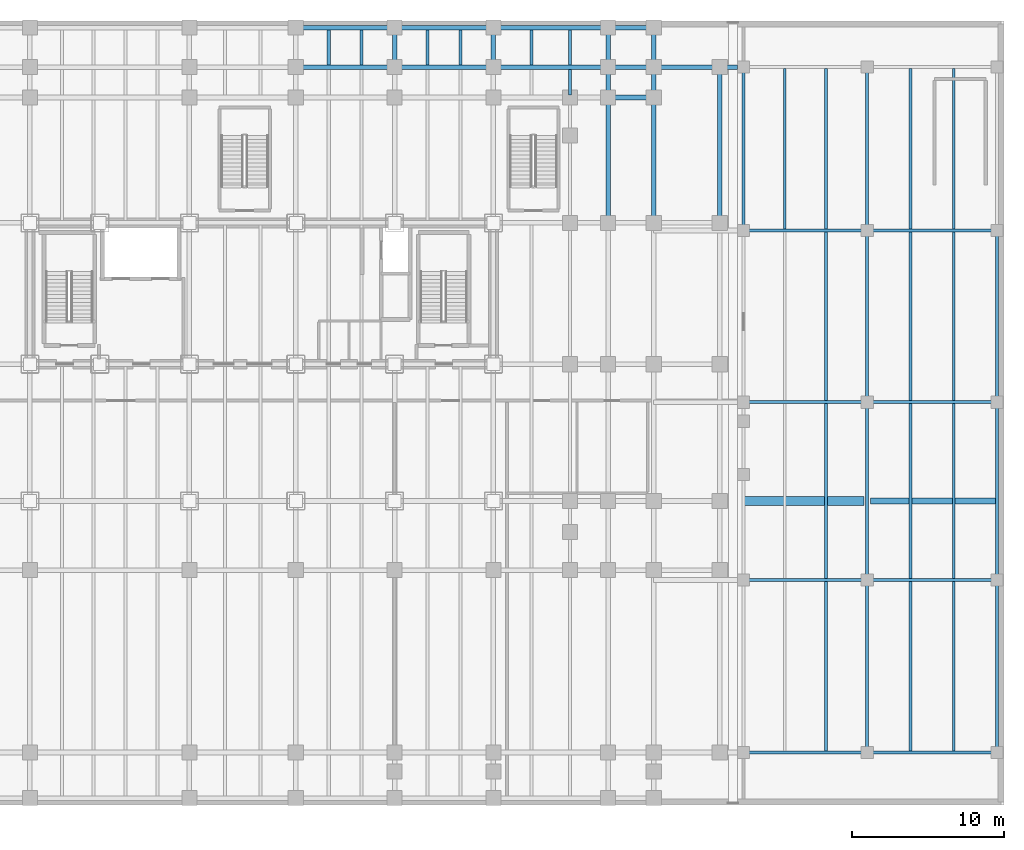
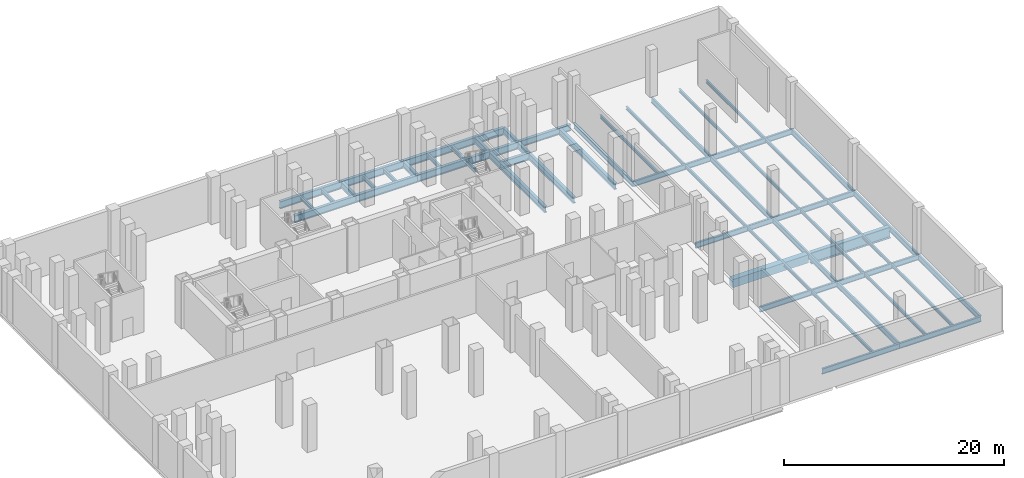
# One storey, part 6 of 15: 57 beams.
"""IFC4 building model written with IfcOpenShell, lengths in metres."""

from ifc_helpers import new_model, si_unit, direction, frame, origin, origin_2d, place, context, subcontext, project, spatial, rectangle, i_section, extrude, material, material_profile, profile_set, type_object, element, save


model = new_model("IFC4")

# Units and contexts
model_context = context("Model", 3, precision=1e-05, world=origin(), true_north=direction((0.0, 1.0)))
body_context = subcontext(model_context, "Body", "Model", "MODEL_VIEW")
ifc_project = project(units=[si_unit("LENGTHUNIT", "METRE"), si_unit("AREAUNIT", "SQUARE_METRE"), si_unit("VOLUMEUNIT", "CUBIC_METRE"), si_unit("PLANEANGLEUNIT", "RADIAN"), si_unit("MASSUNIT", "GRAM", prefix="KILO")], contexts=[model_context])

# Site, building, storey
site_placement = place(None, origin())
site = spatial("IfcSite", under=ifc_project, at=site_placement, CompositionType="ELEMENT")
building_placement = place(site_placement, origin())
building = spatial("IfcBuilding", under=site, at=building_placement, Name="Noeulbin Bourse Tower", CompositionType="ELEMENT")
storey_placement = place(building_placement, frame((0.0, 0.0, -10.199951171875)))
storey = spatial("IfcBuildingStorey", under=building, at=storey_placement, Name="B02", CompositionType="ELEMENT", Elevation=-10.199951171875)

# Beams
ifc_material_1 = material(Name="Concrete C50/60", Category="concrete")
ifc_material_profile_1 = material_profile(ifc_material_1, rectangle(XDim=0.60009765625, YDim=0.89990234375, at=origin_2d()), Name="RC-BM-600x900", Category="LoadBearing")
ifc_profile_set_1 = profile_set([ifc_material_profile_1], Name="Concrete C50/60")
beam_type_1 = type_object("IfcBeamType", Name="BM-CPL-RC", PredefinedType="LINTEL", material=ifc_profile_set_1)
beam_1_placement = place(storey_placement, frame((60.449951171875, 20.0, -0.72998046875), z_axis=(1.0, 0.0, 0.0), x_axis=(0.0, 1.0, 0.0)))
element("IfcBeam", 1, at=beam_1_placement, inside=storey, type_object=beam_type_1, Name="BM-B02-CPL-MKT", PredefinedType="LINTEL", context=body_context, shape_type="SweptSolid", body=[
    extrude(rectangle(XDim=0.60009765625, YDim=0.89990234375, at=origin_2d()), origin(), (0.0, 0.0, 1.0), 7.949951171875),
])
ifc_material_2 = material(Name="Steel S355", Category="steel")
ifc_material_profile_2 = material_profile(ifc_material_2, i_section(OverallWidth=0.199951171875, OverallDepth=0.60009765625, WebThickness=0.010986328125, FlangeThickness=0.01708984375, FilletRadius=0.02197265625, at=origin_2d()), Name="H-600x200x11x17", Category="LoadBearing")
ifc_profile_set_2 = profile_set([ifc_material_profile_2], Name="Steel S355")
beam_type_2 = type_object("IfcBeamType", Name="BM-GRD-600", PredefinedType="USERDEFINED", material=ifc_profile_set_2)
beam_2_placement = place(storey_placement, frame((60.449951171875, 3.449951171875, -0.580078125), z_axis=(1.0, 0.0, 0.0), x_axis=(0.0, 1.0, 0.0)))
element("IfcBeam", 2, at=beam_2_placement, inside=storey, type_object=beam_type_2, Name="Market Hall Girder EW B02-01", ObjectType="GIRDER", PredefinedType="USERDEFINED", context=body_context, shape_type="SweptSolid", body=[
    extrude(i_section(OverallWidth=0.199951171875, OverallDepth=0.60009765625, WebThickness=0.010986328125, FlangeThickness=0.01708984375, FilletRadius=0.02197265625, at=origin_2d()), origin(), (0.0, 0.0, 1.0), 8.150146484375),
])
beam_3_placement = place(storey_placement, frame((68.60009765625, 3.449951171875, -0.580078125), z_axis=(1.0, 0.0, 0.0), x_axis=(0.0, 1.0, 0.0)))
element("IfcBeam", 3, at=beam_3_placement, inside=storey, type_object=beam_type_2, Name="Market Hall Girder EW B02-02", ObjectType="GIRDER", PredefinedType="USERDEFINED", context=body_context, shape_type="SweptSolid", body=[
    extrude(i_section(OverallWidth=0.199951171875, OverallDepth=0.60009765625, WebThickness=0.010986328125, FlangeThickness=0.01708984375, FilletRadius=0.02197265625, at=origin_2d()), origin(), (0.0, 0.0, 1.0), 8.5498046875),
])
beam_4_placement = place(storey_placement, frame((60.449951171875, 14.800048828125, -0.580078125), z_axis=(1.0, 0.0, 0.0), x_axis=(0.0, 1.0, 0.0)))
element("IfcBeam", 4, at=beam_4_placement, inside=storey, type_object=beam_type_2, Name="Market Hall Girder EW B02-03", ObjectType="GIRDER", PredefinedType="USERDEFINED", context=body_context, shape_type="SweptSolid", body=[
    extrude(i_section(OverallWidth=0.199951171875, OverallDepth=0.60009765625, WebThickness=0.010986328125, FlangeThickness=0.01708984375, FilletRadius=0.02197265625, at=origin_2d()), origin(), (0.0, 0.0, 1.0), 8.150146484375),
])
beam_5_placement = place(storey_placement, frame((68.60009765625, 14.800048828125, -0.580078125), z_axis=(1.0, 0.0, 0.0), x_axis=(0.0, 1.0, 0.0)))
element("IfcBeam", 5, at=beam_5_placement, inside=storey, type_object=beam_type_2, Name="Market Hall Girder EW B02-04", ObjectType="GIRDER", PredefinedType="USERDEFINED", context=body_context, shape_type="SweptSolid", body=[
    extrude(i_section(OverallWidth=0.199951171875, OverallDepth=0.60009765625, WebThickness=0.010986328125, FlangeThickness=0.01708984375, FilletRadius=0.02197265625, at=origin_2d()), origin(), (0.0, 0.0, 1.0), 8.5498046875),
])
beam_6_placement = place(storey_placement, frame((60.449951171875, 26.5, -0.580078125), z_axis=(1.0, 0.0, 0.0), x_axis=(0.0, 1.0, 0.0)))
element("IfcBeam", 6, at=beam_6_placement, inside=storey, type_object=beam_type_2, Name="Market Hall Girder EW B02-05", ObjectType="GIRDER", PredefinedType="USERDEFINED", context=body_context, shape_type="SweptSolid", body=[
    extrude(i_section(OverallWidth=0.199951171875, OverallDepth=0.60009765625, WebThickness=0.010986328125, FlangeThickness=0.01708984375, FilletRadius=0.02197265625, at=origin_2d()), origin(), (0.0, 0.0, 1.0), 8.150146484375),
])
beam_7_placement = place(storey_placement, frame((68.60009765625, 26.5, -0.580078125), z_axis=(1.0, 0.0, 0.0), x_axis=(0.0, 1.0, 0.0)))
element("IfcBeam", 7, at=beam_7_placement, inside=storey, type_object=beam_type_2, Name="Market Hall Girder EW B02-06", ObjectType="GIRDER", PredefinedType="USERDEFINED", context=body_context, shape_type="SweptSolid", body=[
    extrude(i_section(OverallWidth=0.199951171875, OverallDepth=0.60009765625, WebThickness=0.010986328125, FlangeThickness=0.01708984375, FilletRadius=0.02197265625, at=origin_2d()), origin(), (0.0, 0.0, 1.0), 8.5498046875),
])
beam_8_placement = place(storey_placement, frame((60.449951171875, 37.800048828125, -0.580078125), z_axis=(1.0, 0.0, 0.0), x_axis=(0.0, 1.0, 0.0)))
element("IfcBeam", 8, at=beam_8_placement, inside=storey, type_object=beam_type_2, Name="Market Hall Girder EW B02-07", ObjectType="GIRDER", PredefinedType="USERDEFINED", context=body_context, shape_type="SweptSolid", body=[
    extrude(i_section(OverallWidth=0.199951171875, OverallDepth=0.60009765625, WebThickness=0.010986328125, FlangeThickness=0.01708984375, FilletRadius=0.02197265625, at=origin_2d()), origin(), (0.0, 0.0, 1.0), 8.150146484375),
])
beam_9_placement = place(storey_placement, frame((68.60009765625, 37.800048828125, -0.580078125), z_axis=(1.0, 0.0, 0.0), x_axis=(0.0, 1.0, 0.0)))
element("IfcBeam", 9, at=beam_9_placement, inside=storey, type_object=beam_type_2, Name="Market Hall Girder EW B02-08", ObjectType="GIRDER", PredefinedType="USERDEFINED", context=body_context, shape_type="SweptSolid", body=[
    extrude(i_section(OverallWidth=0.199951171875, OverallDepth=0.60009765625, WebThickness=0.010986328125, FlangeThickness=0.01708984375, FilletRadius=0.02197265625, at=origin_2d()), origin(), (0.0, 0.0, 1.0), 8.5498046875),
])
beam_10_placement = place(storey_placement, frame((60.449951171875, 37.800048828125, -0.580078125), z_axis=(0.0, 1.0, 0.0), x_axis=(-1.0, 0.0, 0.0)))
element("IfcBeam", 10, at=beam_10_placement, inside=storey, type_object=beam_type_2, Name="Market Hall Girder NS B02-14", ObjectType="GIRDER", PredefinedType="USERDEFINED", context=body_context, shape_type="SweptSolid", body=[
    extrude(i_section(OverallWidth=0.199951171875, OverallDepth=0.60009765625, WebThickness=0.010986328125, FlangeThickness=0.01708984375, FilletRadius=0.02197265625, at=origin_2d()), origin(), (0.0, 0.0, 1.0), 10.75),
])
beam_11_placement = place(storey_placement, frame((68.60009765625, 3.449951171875, -0.580078125), z_axis=(0.0, 1.0, 0.0), x_axis=(-1.0, 0.0, 0.0)))
element("IfcBeam", 11, at=beam_11_placement, inside=storey, type_object=beam_type_2, Name="Market Hall Girder NS B02-15", ObjectType="GIRDER", PredefinedType="USERDEFINED", context=body_context, shape_type="SweptSolid", body=[
    extrude(i_section(OverallWidth=0.199951171875, OverallDepth=0.60009765625, WebThickness=0.010986328125, FlangeThickness=0.01708984375, FilletRadius=0.02197265625, at=origin_2d()), origin(), (0.0, 0.0, 1.0), 11.35009765625),
])
beam_12_placement = place(storey_placement, frame((68.60009765625, 14.800048828125, -0.580078125), z_axis=(0.0, 1.0, 0.0), x_axis=(-1.0, 0.0, 0.0)))
element("IfcBeam", 12, at=beam_12_placement, inside=storey, type_object=beam_type_2, Name="Market Hall Girder NS B02-16", ObjectType="GIRDER", PredefinedType="USERDEFINED", context=body_context, shape_type="SweptSolid", body=[
    extrude(i_section(OverallWidth=0.199951171875, OverallDepth=0.60009765625, WebThickness=0.010986328125, FlangeThickness=0.01708984375, FilletRadius=0.02197265625, at=origin_2d()), origin(), (0.0, 0.0, 1.0), 11.699951171875),
])
beam_13_placement = place(storey_placement, frame((68.60009765625, 26.5, -0.580078125), z_axis=(0.0, 1.0, 0.0), x_axis=(-1.0, 0.0, 0.0)))
element("IfcBeam", 13, at=beam_13_placement, inside=storey, type_object=beam_type_2, Name="Market Hall Girder NS B02-17", ObjectType="GIRDER", PredefinedType="USERDEFINED", context=body_context, shape_type="SweptSolid", body=[
    extrude(i_section(OverallWidth=0.199951171875, OverallDepth=0.60009765625, WebThickness=0.010986328125, FlangeThickness=0.01708984375, FilletRadius=0.02197265625, at=origin_2d()), origin(), (0.0, 0.0, 1.0), 11.300048828125),
])
beam_14_placement = place(storey_placement, frame((68.60009765625, 37.800048828125, -0.580078125), z_axis=(0.0, 1.0, 0.0), x_axis=(-1.0, 0.0, 0.0)))
element("IfcBeam", 14, at=beam_14_placement, inside=storey, type_object=beam_type_2, Name="Market Hall Girder NS B02-18", ObjectType="GIRDER", PredefinedType="USERDEFINED", context=body_context, shape_type="SweptSolid", body=[
    extrude(i_section(OverallWidth=0.199951171875, OverallDepth=0.60009765625, WebThickness=0.010986328125, FlangeThickness=0.01708984375, FilletRadius=0.02197265625, at=origin_2d()), origin(), (0.0, 0.0, 1.0), 10.75),
])
beam_15_placement = place(storey_placement, frame((77.14990234375, 3.449951171875, -0.580078125), z_axis=(0.0, 1.0, 0.0), x_axis=(-1.0, 0.0, 0.0)))
element("IfcBeam", 15, at=beam_15_placement, inside=storey, type_object=beam_type_2, Name="Market Hall Girder NS B02-19", ObjectType="GIRDER", PredefinedType="USERDEFINED", context=body_context, shape_type="SweptSolid", body=[
    extrude(i_section(OverallWidth=0.199951171875, OverallDepth=0.60009765625, WebThickness=0.010986328125, FlangeThickness=0.01708984375, FilletRadius=0.02197265625, at=origin_2d()), origin(), (0.0, 0.0, 1.0), 11.35009765625),
])
beam_16_placement = place(storey_placement, frame((77.14990234375, 14.800048828125, -0.580078125), z_axis=(0.0, 1.0, 0.0), x_axis=(-1.0, 0.0, 0.0)))
element("IfcBeam", 16, at=beam_16_placement, inside=storey, type_object=beam_type_2, Name="Market Hall Girder NS B02-20", ObjectType="GIRDER", PredefinedType="USERDEFINED", context=body_context, shape_type="SweptSolid", body=[
    extrude(i_section(OverallWidth=0.199951171875, OverallDepth=0.60009765625, WebThickness=0.010986328125, FlangeThickness=0.01708984375, FilletRadius=0.02197265625, at=origin_2d()), origin(), (0.0, 0.0, 1.0), 11.699951171875),
])
beam_17_placement = place(storey_placement, frame((77.14990234375, 26.5, -0.580078125), z_axis=(0.0, 1.0, 0.0), x_axis=(-1.0, 0.0, 0.0)))
element("IfcBeam", 17, at=beam_17_placement, inside=storey, type_object=beam_type_2, Name="Market Hall Girder NS B02-21", ObjectType="GIRDER", PredefinedType="USERDEFINED", context=body_context, shape_type="SweptSolid", body=[
    extrude(i_section(OverallWidth=0.199951171875, OverallDepth=0.60009765625, WebThickness=0.010986328125, FlangeThickness=0.01708984375, FilletRadius=0.02197265625, at=origin_2d()), origin(), (0.0, 0.0, 1.0), 11.300048828125),
])
ifc_material_profile_3 = material_profile(ifc_material_2, i_section(OverallWidth=0.300048828125, OverallDepth=0.699951171875, WebThickness=0.012939453125, FlangeThickness=0.02392578125, FilletRadius=0.02392578125, at=origin_2d()), Name="H-700x300x13x24", Category="LoadBearing")
ifc_profile_set_3 = profile_set([ifc_material_profile_3], Name="Steel S355")
beam_type_3 = type_object("IfcBeamType", Name="BM-GRD-700", PredefinedType="USERDEFINED", material=ifc_profile_set_3)
for number, where, z_axis, x_axis, name in (
    (18, (37.5, 48.550048828125, -0.630126953125), (0.0, 1.0, 0.0), (-1.0, 0.0, 0.0), "Podium Primary Girder NS B02-119"),
    (19, (44.0, 48.550048828125, -0.630126953125), (0.0, 1.0, 0.0), (-1.0, 0.0, 0.0), "Podium Primary Girder NS B02-127"),
):
    element("IfcBeam", number, at=place(storey_placement, frame(where, z_axis=z_axis, x_axis=x_axis)), inside=storey, type_object=beam_type_3, Name=name, ObjectType="GIRDER", PredefinedType="USERDEFINED", context=body_context, shape_type="SweptSolid", body=[
        extrude(i_section(OverallWidth=0.300048828125, OverallDepth=0.699951171875, WebThickness=0.012939453125, FlangeThickness=0.02392578125, FilletRadius=0.02392578125, at=origin_2d()), origin(), (0.0, 0.0, 1.0), 2.599853515625),
    ])
beam_18_placement = place(storey_placement, frame((51.550048828125, 38.300048828125, -0.630126953125), z_axis=(0.0, 1.0, 0.0), x_axis=(-1.0, 0.0, 0.0)))
element("IfcBeam", 20, at=beam_18_placement, inside=storey, type_object=beam_type_3, Name="Podium Primary Girder NS B02-133", ObjectType="GIRDER", PredefinedType="USERDEFINED", context=body_context, shape_type="SweptSolid", body=[
    extrude(i_section(OverallWidth=0.300048828125, OverallDepth=0.699951171875, WebThickness=0.012939453125, FlangeThickness=0.02392578125, FilletRadius=0.02392578125, at=origin_2d()), origin(), (0.0, 0.0, 1.0), 8.25),
])
beam_19_placement = place(storey_placement, frame((51.550048828125, 46.550048828125, -0.630126953125), z_axis=(0.0, 1.0, 0.0), x_axis=(-1.0, 0.0, 0.0)))
element("IfcBeam", 21, at=beam_19_placement, inside=storey, type_object=beam_type_3, Name="Podium Primary Girder NS B02-134", ObjectType="GIRDER", PredefinedType="USERDEFINED", context=body_context, shape_type="SweptSolid", body=[
    extrude(i_section(OverallWidth=0.300048828125, OverallDepth=0.699951171875, WebThickness=0.012939453125, FlangeThickness=0.02392578125, FilletRadius=0.02392578125, at=origin_2d()), origin(), (0.0, 0.0, 1.0), 2.0),
])
beam_20_placement = place(storey_placement, frame((51.550048828125, 48.550048828125, -0.630126953125), z_axis=(0.0, 1.0, 0.0), x_axis=(-1.0, 0.0, 0.0)))
element("IfcBeam", 22, at=beam_20_placement, inside=storey, type_object=beam_type_3, Name="Podium Primary Girder NS B02-135", ObjectType="GIRDER", PredefinedType="USERDEFINED", context=body_context, shape_type="SweptSolid", body=[
    extrude(i_section(OverallWidth=0.300048828125, OverallDepth=0.699951171875, WebThickness=0.012939453125, FlangeThickness=0.02392578125, FilletRadius=0.02392578125, at=origin_2d()), origin(), (0.0, 0.0, 1.0), 2.599853515625),
])
beam_21_placement = place(storey_placement, frame((54.550048828125, 38.300048828125, -0.630126953125), z_axis=(0.0, 1.0, 0.0), x_axis=(-1.0, 0.0, 0.0)))
element("IfcBeam", 23, at=beam_21_placement, inside=storey, type_object=beam_type_3, Name="Podium Primary Girder NS B02-141", ObjectType="GIRDER", PredefinedType="USERDEFINED", context=body_context, shape_type="SweptSolid", body=[
    extrude(i_section(OverallWidth=0.300048828125, OverallDepth=0.699951171875, WebThickness=0.012939453125, FlangeThickness=0.02392578125, FilletRadius=0.02392578125, at=origin_2d()), origin(), (0.0, 0.0, 1.0), 8.25),
])
beam_22_placement = place(storey_placement, frame((54.550048828125, 46.550048828125, -0.630126953125), z_axis=(0.0, 1.0, 0.0), x_axis=(-1.0, 0.0, 0.0)))
element("IfcBeam", 24, at=beam_22_placement, inside=storey, type_object=beam_type_3, Name="Podium Primary Girder NS B02-142", ObjectType="GIRDER", PredefinedType="USERDEFINED", context=body_context, shape_type="SweptSolid", body=[
    extrude(i_section(OverallWidth=0.300048828125, OverallDepth=0.699951171875, WebThickness=0.012939453125, FlangeThickness=0.02392578125, FilletRadius=0.02392578125, at=origin_2d()), origin(), (0.0, 0.0, 1.0), 2.0),
])
beam_23_placement = place(storey_placement, frame((54.550048828125, 48.550048828125, -0.630126953125), z_axis=(0.0, 1.0, 0.0), x_axis=(-1.0, 0.0, 0.0)))
element("IfcBeam", 25, at=beam_23_placement, inside=storey, type_object=beam_type_3, Name="Podium Primary Girder NS B02-143", ObjectType="GIRDER", PredefinedType="USERDEFINED", context=body_context, shape_type="SweptSolid", body=[
    extrude(i_section(OverallWidth=0.300048828125, OverallDepth=0.699951171875, WebThickness=0.012939453125, FlangeThickness=0.02392578125, FilletRadius=0.02392578125, at=origin_2d()), origin(), (0.0, 0.0, 1.0), 2.599853515625),
])
beam_24_placement = place(storey_placement, frame((54.550048828125, 48.550048828125, -0.630126953125), z_axis=(1.0, 0.0, 0.0), x_axis=(0.0, 1.0, 0.0)))
element("IfcBeam", 26, at=beam_24_placement, inside=storey, type_object=beam_type_3, Name="Concourse Slot Girder B02-05", ObjectType="GIRDER", PredefinedType="USERDEFINED", context=body_context, shape_type="SweptSolid", body=[
    extrude(i_section(OverallWidth=0.300048828125, OverallDepth=0.699951171875, WebThickness=0.012939453125, FlangeThickness=0.02392578125, FilletRadius=0.02392578125, at=origin_2d()), origin(), (0.0, 0.0, 1.0), 5.5),
])
beam_25_placement = place(storey_placement, frame((58.89990234375, 38.300048828125, -0.630126953125), z_axis=(0.0, 1.0, 0.0), x_axis=(-1.0, 0.0, 0.0)))
element("IfcBeam", 27, at=beam_25_placement, inside=storey, type_object=beam_type_3, Name="BM-B02-JNT-NS-5", ObjectType="GIRDER", PredefinedType="USERDEFINED", context=body_context, shape_type="SweptSolid", body=[
    extrude(i_section(OverallWidth=0.300048828125, OverallDepth=0.699951171875, WebThickness=0.012939453125, FlangeThickness=0.02392578125, FilletRadius=0.02392578125, at=origin_2d()), origin(), (0.0, 0.0, 1.0), 10.25),
])
ifc_material_profile_4 = material_profile(ifc_material_2, i_section(OverallWidth=0.300048828125, OverallDepth=0.800048828125, WebThickness=0.013916015625, FlangeThickness=0.02587890625, FilletRadius=0.02587890625, at=origin_2d()), Name="H-800x300x14x26", Category="LoadBearing")
ifc_profile_set_4 = profile_set([ifc_material_profile_4], Name="Steel S355")
beam_type_4 = type_object("IfcBeamType", Name="BM-GRD-800", PredefinedType="USERDEFINED", material=ifc_profile_set_4)
beam_26_placement = place(storey_placement, frame((51.550048828125, 46.550048828125, -0.679931640625), z_axis=(1.0, 0.0, 0.0), x_axis=(0.0, 1.0, 0.0)))
element("IfcBeam", 28, at=beam_26_placement, inside=storey, type_object=beam_type_4, Name="Podium Primary Girder EW B02-056", ObjectType="GIRDER", PredefinedType="USERDEFINED", context=body_context, shape_type="SweptSolid", body=[
    extrude(i_section(OverallWidth=0.300048828125, OverallDepth=0.800048828125, WebThickness=0.013916015625, FlangeThickness=0.02587890625, FilletRadius=0.02587890625, at=origin_2d()), origin(), (0.0, 0.0, 1.0), 3.0),
])
for number, where, z_axis, x_axis, name in (
    (29, (31.0, 48.550048828125, -0.679931640625), (1.0, 0.0, 0.0), (0.0, 1.0, 0.0), "Podium Primary Girder EW B02-061"),
    (30, (37.5, 48.550048828125, -0.679931640625), (1.0, 0.0, 0.0), (0.0, 1.0, 0.0), "Podium Primary Girder EW B02-062"),
):
    element("IfcBeam", number, at=place(storey_placement, frame(where, z_axis=z_axis, x_axis=x_axis)), inside=storey, type_object=beam_type_4, Name=name, ObjectType="GIRDER", PredefinedType="USERDEFINED", context=body_context, shape_type="SweptSolid", body=[
        extrude(i_section(OverallWidth=0.300048828125, OverallDepth=0.800048828125, WebThickness=0.013916015625, FlangeThickness=0.02587890625, FilletRadius=0.02587890625, at=origin_2d()), origin(), (0.0, 0.0, 1.0), 6.5),
    ])
beam_27_placement = place(storey_placement, frame((44.0, 48.550048828125, -0.679931640625), z_axis=(1.0, 0.0, 0.0), x_axis=(0.0, 1.0, 0.0)))
element("IfcBeam", 31, at=beam_27_placement, inside=storey, type_object=beam_type_4, Name="Podium Primary Girder EW B02-063", ObjectType="GIRDER", PredefinedType="USERDEFINED", context=body_context, shape_type="SweptSolid", body=[
    extrude(i_section(OverallWidth=0.300048828125, OverallDepth=0.800048828125, WebThickness=0.013916015625, FlangeThickness=0.02587890625, FilletRadius=0.02587890625, at=origin_2d()), origin(), (0.0, 0.0, 1.0), 7.550048828125),
])
beam_28_placement = place(storey_placement, frame((51.550048828125, 48.550048828125, -0.679931640625), z_axis=(1.0, 0.0, 0.0), x_axis=(0.0, 1.0, 0.0)))
element("IfcBeam", 32, at=beam_28_placement, inside=storey, type_object=beam_type_4, Name="Podium Primary Girder EW B02-064", ObjectType="GIRDER", PredefinedType="USERDEFINED", context=body_context, shape_type="SweptSolid", body=[
    extrude(i_section(OverallWidth=0.300048828125, OverallDepth=0.800048828125, WebThickness=0.013916015625, FlangeThickness=0.02587890625, FilletRadius=0.02587890625, at=origin_2d()), origin(), (0.0, 0.0, 1.0), 3.0),
])
for number, where, z_axis, x_axis, name in (
    (33, (31.0, 51.14990234375, -0.679931640625), (1.0, 0.0, 0.0), (0.0, 1.0, 0.0), "Podium Primary Girder EW B02-069"),
    (34, (37.5, 51.14990234375, -0.679931640625), (1.0, 0.0, 0.0), (0.0, 1.0, 0.0), "Podium Primary Girder EW B02-070"),
):
    element("IfcBeam", number, at=place(storey_placement, frame(where, z_axis=z_axis, x_axis=x_axis)), inside=storey, type_object=beam_type_4, Name=name, ObjectType="GIRDER", PredefinedType="USERDEFINED", context=body_context, shape_type="SweptSolid", body=[
        extrude(i_section(OverallWidth=0.300048828125, OverallDepth=0.800048828125, WebThickness=0.013916015625, FlangeThickness=0.02587890625, FilletRadius=0.02587890625, at=origin_2d()), origin(), (0.0, 0.0, 1.0), 6.5),
    ])
beam_29_placement = place(storey_placement, frame((44.0, 51.14990234375, -0.679931640625), z_axis=(1.0, 0.0, 0.0), x_axis=(0.0, 1.0, 0.0)))
element("IfcBeam", 35, at=beam_29_placement, inside=storey, type_object=beam_type_4, Name="Podium Primary Girder EW B02-071", ObjectType="GIRDER", PredefinedType="USERDEFINED", context=body_context, shape_type="SweptSolid", body=[
    extrude(i_section(OverallWidth=0.300048828125, OverallDepth=0.800048828125, WebThickness=0.013916015625, FlangeThickness=0.02587890625, FilletRadius=0.02587890625, at=origin_2d()), origin(), (0.0, 0.0, 1.0), 7.550048828125),
])
beam_30_placement = place(storey_placement, frame((51.550048828125, 51.14990234375, -0.679931640625), z_axis=(1.0, 0.0, 0.0), x_axis=(0.0, 1.0, 0.0)))
element("IfcBeam", 36, at=beam_30_placement, inside=storey, type_object=beam_type_4, Name="Podium Primary Girder EW B02-072", ObjectType="GIRDER", PredefinedType="USERDEFINED", context=body_context, shape_type="SweptSolid", body=[
    extrude(i_section(OverallWidth=0.300048828125, OverallDepth=0.800048828125, WebThickness=0.013916015625, FlangeThickness=0.02587890625, FilletRadius=0.02587890625, at=origin_2d()), origin(), (0.0, 0.0, 1.0), 3.0),
])
ifc_material_profile_5 = material_profile(ifc_material_2, i_section(OverallWidth=0.175048828125, OverallDepth=0.35009765625, WebThickness=0.007080078125, FlangeThickness=0.010986328125, FilletRadius=0.013916015625, at=origin_2d()), Name="H-350x175x7x11", Category="LoadBearing")
ifc_profile_set_5 = profile_set([ifc_material_profile_5], Name="Steel S355")
beam_type_5 = type_object("IfcBeamType", Name="BM-JST-350", PredefinedType="JOIST", material=ifc_profile_set_5)
beam_31_placement = place(storey_placement, frame((63.166748046875, 37.89990234375, -0.455078125), z_axis=(0.0, 1.0, 0.0), x_axis=(-1.0, 0.0, 0.0)))
element("IfcBeam", 37, at=beam_31_placement, inside=storey, type_object=beam_type_5, Name="Market Hall Secondary Joist B02-04", PredefinedType="JOIST", context=body_context, shape_type="SweptSolid", body=[
    extrude(i_section(OverallWidth=0.175048828125, OverallDepth=0.35009765625, WebThickness=0.007080078125, FlangeThickness=0.010986328125, FilletRadius=0.013916015625, at=origin_2d()), origin(), (0.0, 0.0, 1.0), 10.550048828125),
])
beam_32_placement = place(storey_placement, frame((65.88330078125, 3.550048828125, -0.455078125), z_axis=(0.0, 1.0, 0.0), x_axis=(-1.0, 0.0, 0.0)))
element("IfcBeam", 38, at=beam_32_placement, inside=storey, type_object=beam_type_5, Name="Market Hall Secondary Joist B02-05", PredefinedType="JOIST", context=body_context, shape_type="SweptSolid", body=[
    extrude(i_section(OverallWidth=0.175048828125, OverallDepth=0.35009765625, WebThickness=0.007080078125, FlangeThickness=0.010986328125, FilletRadius=0.013916015625, at=origin_2d()), origin(), (0.0, 0.0, 1.0), 11.14990234375),
])
beam_33_placement = place(storey_placement, frame((65.88330078125, 14.89990234375, -0.455078125), z_axis=(0.0, 1.0, 0.0), x_axis=(-1.0, 0.0, 0.0)))
element("IfcBeam", 39, at=beam_33_placement, inside=storey, type_object=beam_type_5, Name="Market Hall Secondary Joist B02-06", PredefinedType="JOIST", context=body_context, shape_type="SweptSolid", body=[
    extrude(i_section(OverallWidth=0.175048828125, OverallDepth=0.35009765625, WebThickness=0.007080078125, FlangeThickness=0.010986328125, FilletRadius=0.013916015625, at=origin_2d()), origin(), (0.0, 0.0, 1.0), 11.5),
])
beam_34_placement = place(storey_placement, frame((65.88330078125, 26.60009765625, -0.455078125), z_axis=(0.0, 1.0, 0.0), x_axis=(-1.0, 0.0, 0.0)))
element("IfcBeam", 40, at=beam_34_placement, inside=storey, type_object=beam_type_5, Name="Market Hall Secondary Joist B02-07", PredefinedType="JOIST", context=body_context, shape_type="SweptSolid", body=[
    extrude(i_section(OverallWidth=0.175048828125, OverallDepth=0.35009765625, WebThickness=0.007080078125, FlangeThickness=0.010986328125, FilletRadius=0.013916015625, at=origin_2d()), origin(), (0.0, 0.0, 1.0), 11.099853515625),
])
beam_35_placement = place(storey_placement, frame((65.88330078125, 37.89990234375, -0.455078125), z_axis=(0.0, 1.0, 0.0), x_axis=(-1.0, 0.0, 0.0)))
element("IfcBeam", 41, at=beam_35_placement, inside=storey, type_object=beam_type_5, Name="Market Hall Secondary Joist B02-08", PredefinedType="JOIST", context=body_context, shape_type="SweptSolid", body=[
    extrude(i_section(OverallWidth=0.175048828125, OverallDepth=0.35009765625, WebThickness=0.007080078125, FlangeThickness=0.010986328125, FilletRadius=0.013916015625, at=origin_2d()), origin(), (0.0, 0.0, 1.0), 10.550048828125),
])
beam_36_placement = place(storey_placement, frame((71.449951171875, 3.550048828125, -0.455078125), z_axis=(0.0, 1.0, 0.0), x_axis=(-1.0, 0.0, 0.0)))
element("IfcBeam", 42, at=beam_36_placement, inside=storey, type_object=beam_type_5, Name="Market Hall Secondary Joist B02-09", PredefinedType="JOIST", context=body_context, shape_type="SweptSolid", body=[
    extrude(i_section(OverallWidth=0.175048828125, OverallDepth=0.35009765625, WebThickness=0.007080078125, FlangeThickness=0.010986328125, FilletRadius=0.013916015625, at=origin_2d()), origin(), (0.0, 0.0, 1.0), 11.14990234375),
])
beam_37_placement = place(storey_placement, frame((71.449951171875, 14.89990234375, -0.455078125), z_axis=(0.0, 1.0, 0.0), x_axis=(-1.0, 0.0, 0.0)))
element("IfcBeam", 43, at=beam_37_placement, inside=storey, type_object=beam_type_5, Name="Market Hall Secondary Joist B02-10", PredefinedType="JOIST", context=body_context, shape_type="SweptSolid", body=[
    extrude(i_section(OverallWidth=0.175048828125, OverallDepth=0.35009765625, WebThickness=0.007080078125, FlangeThickness=0.010986328125, FilletRadius=0.013916015625, at=origin_2d()), origin(), (0.0, 0.0, 1.0), 11.5),
])
beam_38_placement = place(storey_placement, frame((71.449951171875, 26.60009765625, -0.455078125), z_axis=(0.0, 1.0, 0.0), x_axis=(-1.0, 0.0, 0.0)))
element("IfcBeam", 44, at=beam_38_placement, inside=storey, type_object=beam_type_5, Name="Market Hall Secondary Joist B02-11", PredefinedType="JOIST", context=body_context, shape_type="SweptSolid", body=[
    extrude(i_section(OverallWidth=0.175048828125, OverallDepth=0.35009765625, WebThickness=0.007080078125, FlangeThickness=0.010986328125, FilletRadius=0.013916015625, at=origin_2d()), origin(), (0.0, 0.0, 1.0), 11.099853515625),
])
beam_39_placement = place(storey_placement, frame((71.449951171875, 37.89990234375, -0.455078125), z_axis=(0.0, 1.0, 0.0), x_axis=(-1.0, 0.0, 0.0)))
element("IfcBeam", 45, at=beam_39_placement, inside=storey, type_object=beam_type_5, Name="Market Hall Secondary Joist B02-12", PredefinedType="JOIST", context=body_context, shape_type="SweptSolid", body=[
    extrude(i_section(OverallWidth=0.175048828125, OverallDepth=0.35009765625, WebThickness=0.007080078125, FlangeThickness=0.010986328125, FilletRadius=0.013916015625, at=origin_2d()), origin(), (0.0, 0.0, 1.0), 10.550048828125),
])
beam_40_placement = place(storey_placement, frame((74.300048828125, 3.550048828125, -0.455078125), z_axis=(0.0, 1.0, 0.0), x_axis=(-1.0, 0.0, 0.0)))
element("IfcBeam", 46, at=beam_40_placement, inside=storey, type_object=beam_type_5, Name="Market Hall Secondary Joist B02-13", PredefinedType="JOIST", context=body_context, shape_type="SweptSolid", body=[
    extrude(i_section(OverallWidth=0.175048828125, OverallDepth=0.35009765625, WebThickness=0.007080078125, FlangeThickness=0.010986328125, FilletRadius=0.013916015625, at=origin_2d()), origin(), (0.0, 0.0, 1.0), 11.14990234375),
])
beam_41_placement = place(storey_placement, frame((74.300048828125, 14.89990234375, -0.455078125), z_axis=(0.0, 1.0, 0.0), x_axis=(-1.0, 0.0, 0.0)))
element("IfcBeam", 47, at=beam_41_placement, inside=storey, type_object=beam_type_5, Name="Market Hall Secondary Joist B02-14", PredefinedType="JOIST", context=body_context, shape_type="SweptSolid", body=[
    extrude(i_section(OverallWidth=0.175048828125, OverallDepth=0.35009765625, WebThickness=0.007080078125, FlangeThickness=0.010986328125, FilletRadius=0.013916015625, at=origin_2d()), origin(), (0.0, 0.0, 1.0), 11.5),
])
beam_42_placement = place(storey_placement, frame((74.300048828125, 26.60009765625, -0.455078125), z_axis=(0.0, 1.0, 0.0), x_axis=(-1.0, 0.0, 0.0)))
element("IfcBeam", 48, at=beam_42_placement, inside=storey, type_object=beam_type_5, Name="Market Hall Secondary Joist B02-15", PredefinedType="JOIST", context=body_context, shape_type="SweptSolid", body=[
    extrude(i_section(OverallWidth=0.175048828125, OverallDepth=0.35009765625, WebThickness=0.007080078125, FlangeThickness=0.010986328125, FilletRadius=0.013916015625, at=origin_2d()), origin(), (0.0, 0.0, 1.0), 11.099853515625),
])
beam_43_placement = place(storey_placement, frame((74.300048828125, 37.89990234375, -0.455078125), z_axis=(0.0, 1.0, 0.0), x_axis=(-1.0, 0.0, 0.0)))
element("IfcBeam", 49, at=beam_43_placement, inside=storey, type_object=beam_type_5, Name="Market Hall Secondary Joist B02-16", PredefinedType="JOIST", context=body_context, shape_type="SweptSolid", body=[
    extrude(i_section(OverallWidth=0.175048828125, OverallDepth=0.35009765625, WebThickness=0.007080078125, FlangeThickness=0.010986328125, FilletRadius=0.013916015625, at=origin_2d()), origin(), (0.0, 0.0, 1.0), 10.550048828125),
])
ifc_material_profile_6 = material_profile(ifc_material_2, i_section(OverallWidth=0.199951171875, OverallDepth=0.449951171875, WebThickness=0.009033203125, FlangeThickness=0.013916015625, FilletRadius=0.01806640625, at=origin_2d()), Name="H-450x200x9x14", Category="LoadBearing")
ifc_profile_set_6 = profile_set([ifc_material_profile_6], Name="Steel S355")
beam_type_6 = type_object("IfcBeamType", Name="BM-SEC-450", PredefinedType="BEAM", material=ifc_profile_set_6)
for number, where, z_axis, x_axis, name in (
    (50, (33.166748046875, 48.699951171875, -0.505126953125), (0.0, 1.0, 0.0), (-1.0, 0.0, 0.0), "Podium Secondary Beam B02-080"),
    (51, (35.333251953125, 48.699951171875, -0.505126953125), (0.0, 1.0, 0.0), (-1.0, 0.0, 0.0), "Podium Secondary Beam B02-088"),
    (52, (39.666748046875, 48.699951171875, -0.505126953125), (0.0, 1.0, 0.0), (-1.0, 0.0, 0.0), "Podium Secondary Beam B02-095"),
    (53, (41.833251953125, 48.699951171875, -0.505126953125), (0.0, 1.0, 0.0), (-1.0, 0.0, 0.0), "Podium Secondary Beam B02-102"),
    (54, (46.5166015625, 48.699951171875, -0.505126953125), (0.0, 1.0, 0.0), (-1.0, 0.0, 0.0), "Podium Secondary Beam B02-109"),
):
    element("IfcBeam", number, at=place(storey_placement, frame(where, z_axis=z_axis, x_axis=x_axis)), inside=storey, type_object=beam_type_6, Name=name, PredefinedType="BEAM", context=body_context, shape_type="SweptSolid", body=[
        extrude(i_section(OverallWidth=0.199951171875, OverallDepth=0.449951171875, WebThickness=0.009033203125, FlangeThickness=0.013916015625, FilletRadius=0.01806640625, at=origin_2d()), origin(), (0.0, 0.0, 1.0), 2.300048828125),
    ])
beam_44_placement = place(storey_placement, frame((49.033203125, 46.699951171875, -0.505126953125), z_axis=(0.0, 1.0, 0.0), x_axis=(-1.0, 0.0, 0.0)))
element("IfcBeam", 55, at=beam_44_placement, inside=storey, type_object=beam_type_6, Name="Podium Secondary Beam B02-116", PredefinedType="BEAM", context=body_context, shape_type="SweptSolid", body=[
    extrude(i_section(OverallWidth=0.199951171875, OverallDepth=0.449951171875, WebThickness=0.009033203125, FlangeThickness=0.013916015625, FilletRadius=0.01806640625, at=origin_2d()), origin(), (0.0, 0.0, 1.0), 1.699951171875),
])
beam_45_placement = place(storey_placement, frame((49.033203125, 48.699951171875, -0.505126953125), z_axis=(0.0, 1.0, 0.0), x_axis=(-1.0, 0.0, 0.0)))
element("IfcBeam", 56, at=beam_45_placement, inside=storey, type_object=beam_type_6, Name="Podium Secondary Beam B02-117", PredefinedType="BEAM", context=body_context, shape_type="SweptSolid", body=[
    extrude(i_section(OverallWidth=0.199951171875, OverallDepth=0.449951171875, WebThickness=0.009033203125, FlangeThickness=0.013916015625, FilletRadius=0.01806640625, at=origin_2d()), origin(), (0.0, 0.0, 1.0), 2.300048828125),
])
ifc_material_3 = material(Name="Steel S460", Category="steel")
ifc_material_profile_7 = material_profile(ifc_material_3, i_section(OverallWidth=0.419921875, OverallDepth=1.25, WebThickness=0.02197265625, FlangeThickness=0.0380859375, FilletRadius=0.02392578125, at=origin_2d()), Name="PG-1250x420x22x38", Category="LoadBearing")
ifc_profile_set_7 = profile_set([ifc_material_profile_7], Name="Steel S460")
beam_type_7 = type_object("IfcBeamType", Name="BM-TRF-1250", PredefinedType="USERDEFINED", material=ifc_profile_set_7)
beam_46_placement = place(storey_placement, frame((68.800048828125, 20.0, -0.905029296875), z_axis=(1.0, 0.0, 0.0), x_axis=(0.0, 1.0, 0.0)))
element("IfcBeam", 57, at=beam_46_placement, inside=storey, type_object=beam_type_7, Name="BM-B02-TRF-MKT", ObjectType="GIRDER", PredefinedType="USERDEFINED", context=body_context, shape_type="SweptSolid", body=[
    extrude(i_section(OverallWidth=0.419921875, OverallDepth=1.25, WebThickness=0.02197265625, FlangeThickness=0.0380859375, FilletRadius=0.02392578125, at=origin_2d()), origin(), (0.0, 0.0, 1.0), 8.349853515625),
])

save(model, "model.ifc")
